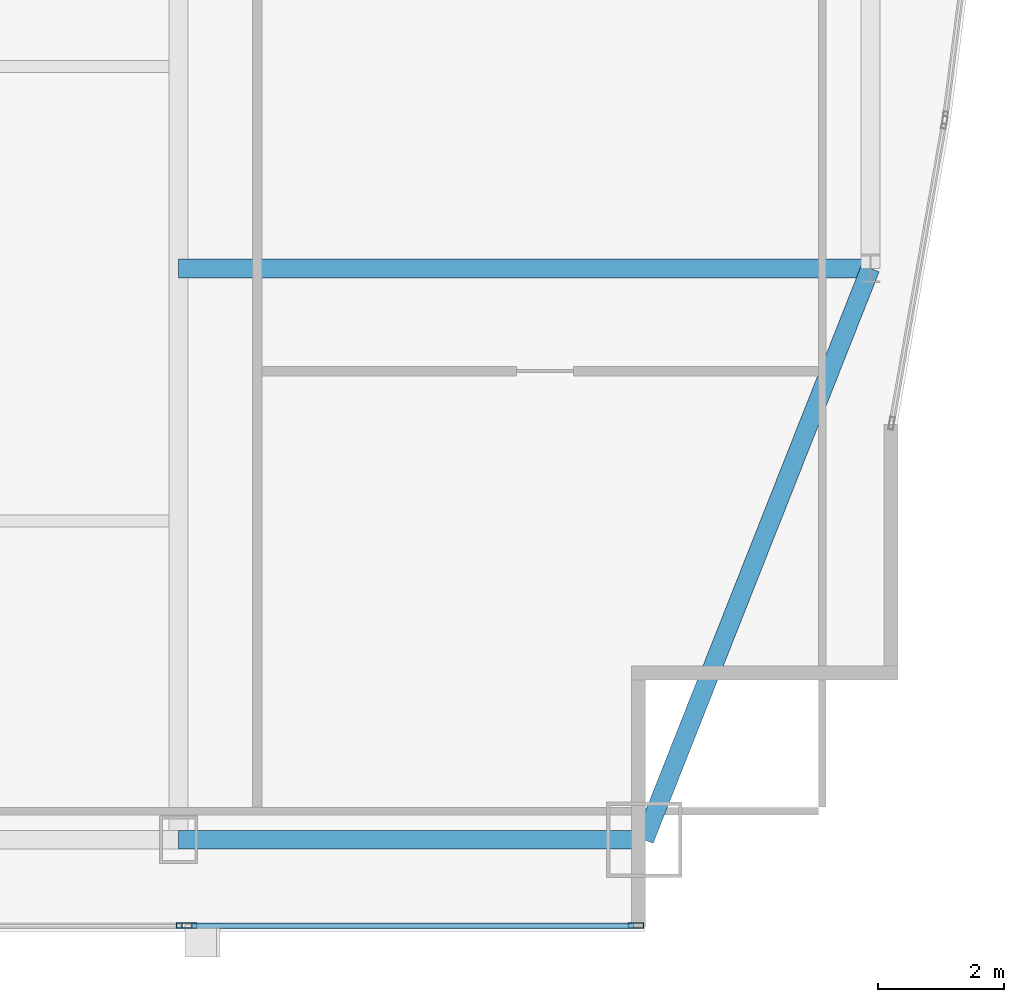
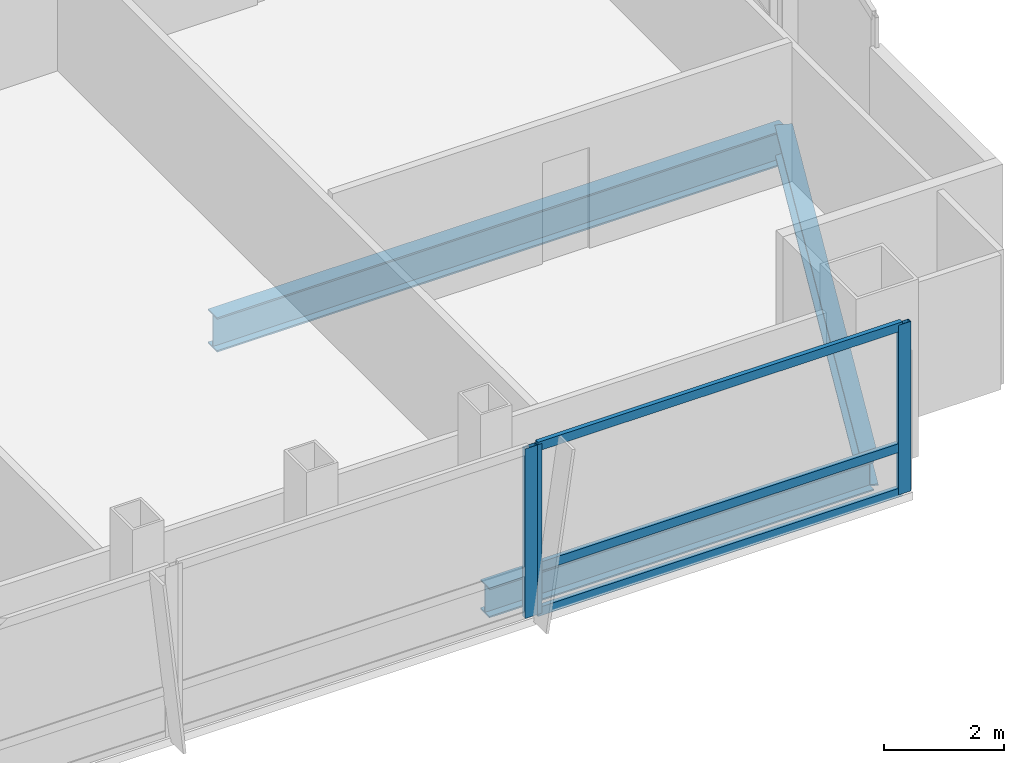
# One storey, part 14 of 30: 6 members, 3 beams, 2 elements without a shape of their own.
"""IFC4 building model written with IfcOpenShell, lengths in metres."""

from ifc_helpers import new_model, si_unit, direction, frame, origin, origin_2d, place, context, subcontext, project, spatial, hollow_rectangle, i_section, extrude, material, material_profile, profile_set, type_object, element, aggregate, save


model = new_model("IFC4")

# Units and contexts
model_context = context("Model", 3, precision=1e-05, world=origin(), true_north=direction((0.0, 1.0)))
body_context = subcontext(model_context, "Body", "Model", "MODEL_VIEW")
ifc_project = project(units=[si_unit("LENGTHUNIT", "METRE"), si_unit("AREAUNIT", "SQUARE_METRE"), si_unit("VOLUMEUNIT", "CUBIC_METRE"), si_unit("PLANEANGLEUNIT", "RADIAN"), si_unit("MASSUNIT", "GRAM", prefix="KILO")], contexts=[model_context])

# Site, building, storey
site_placement = place(None, origin())
site = spatial("IfcSite", under=ifc_project, at=site_placement, CompositionType="ELEMENT")
building_placement = place(site_placement, origin())
building = spatial("IfcBuilding", under=site, at=building_placement, Name="Khoronbel Lancet Exchange", CompositionType="ELEMENT")
storey_placement = place(building_placement, frame((0.0, 0.0, 203.0)))
storey = spatial("IfcBuildingStorey", under=building, at=storey_placement, Name="L51", CompositionType="ELEMENT", Elevation=203.0)

# Beams
ifc_material_1 = material(Name="Steel S355", Category="steel")
ifc_material_profile_1 = material_profile(ifc_material_1, i_section(OverallWidth=0.300048828125, OverallDepth=0.699951171875, WebThickness=0.01708984375, FlangeThickness=0.031982421875, at=origin_2d()), Name="HEB 700")
ifc_profile_set_1 = profile_set([ifc_material_profile_1], Name="Steel S355")
beam_type_1 = type_object("IfcBeamType", Name="BM-BG3", PredefinedType="BEAM", material=ifc_profile_set_1)
beam_1_placement = place(storey_placement, frame((54.675048828125, 19.199951171875, -0.510009765625), z_axis=(1.0, 0.0, 0.0), x_axis=(0.0, 1.0, 0.0)))
element("IfcBeam", 1, at=beam_1_placement, inside=storey, type_object=beam_type_1, Name="Level L51 east lens tie girder LG1E", PredefinedType="BEAM", context=body_context, shape_type="SweptSolid", body=[
    extrude(i_section(OverallWidth=0.300048828125, OverallDepth=0.699951171875, WebThickness=0.01708984375, FlangeThickness=0.031982421875, at=origin_2d()), origin(), (0.0, 0.0, 1.0), 10.954833984375),
])
ifc_material_profile_2 = material_profile(ifc_material_1, i_section(OverallWidth=0.300048828125, OverallDepth=0.60009765625, WebThickness=0.015380859375, FlangeThickness=0.030029296875, at=origin_2d()), Name="HEB 600")
ifc_profile_set_2 = profile_set([ifc_material_profile_2], Name="Steel S355")
beam_type_2 = type_object("IfcBeamType", Name="BM-BSP2", PredefinedType="SPANDREL", material=ifc_profile_set_2)
beam_2_placement = place(storey_placement, frame((54.675048828125, 10.14990234375, -0.4599609375), z_axis=(1.0, 0.0, 0.0), x_axis=(0.0, 1.0, 0.0)))
element("IfcBeam", 2, at=beam_2_placement, inside=storey, type_object=beam_type_2, Name="Level L51 perimeter spandrel beam SP09", PredefinedType="SPANDREL", context=body_context, shape_type="SweptSolid", body=[
    extrude(i_section(OverallWidth=0.300048828125, OverallDepth=0.60009765625, WebThickness=0.015380859375, FlangeThickness=0.030029296875, at=origin_2d()), origin(), (0.0, 0.0, 1.0), 7.375),
])
beam_3_placement = place(storey_placement, frame((62.050048828125, 10.14990234375, -0.4599609375), z_axis=(0.367828403855, 0.929893684954, 0.0), x_axis=(-0.929893684954, 0.367828403855, 0.0)))
element("IfcBeam", 3, at=beam_3_placement, inside=storey, type_object=beam_type_2, Name="Level L51 perimeter spandrel beam SP10", PredefinedType="SPANDREL", context=body_context, shape_type="SweptSolid", body=[
    extrude(i_section(OverallWidth=0.300048828125, OverallDepth=0.60009765625, WebThickness=0.015380859375, FlangeThickness=0.030029296875, at=origin_2d()), origin(), (0.0, 0.0, 1.0), 9.732421875),
])

# Curtain wall, member
ifc_material_2 = material(Name="Low-E Solar Control Insulating Glass", Category="glass")
curtain_wall_type = type_object("IfcCurtainWallType", Name="CW-3", PredefinedType="NOTDEFINED", material=ifc_material_2)
curtain_wall_1_placement = place(storey_placement, origin())
curtain_wall_1 = element("IfcCurtainWall", 4, at=curtain_wall_1_placement, inside=storey, type_object=curtain_wall_type, Name="Unitised curtain wall CW-L51-SEB", PredefinedType="NOTDEFINED")
ifc_material_3 = material(Name="Bronze-Anodised Aluminium 6063-T6", Category="aluminium")
ifc_material_profile_3 = material_profile(ifc_material_3, hollow_rectangle(XDim=0.0849609375, YDim=0.239990234375, WallThickness=0.006103515625, at=origin_2d()), Name="ALU MULLION 85x240")
ifc_profile_set_3 = profile_set([ifc_material_profile_3], Name="Bronze-Anodised Aluminium 6063-T6")
member_type_1 = type_object("IfcMemberType", Name="MEM-CWM1", PredefinedType="MULLION", material=ifc_profile_set_3)
member_1_placement = place(storey_placement, frame((54.757568359375, 8.7900390625, 0.0), z_axis=(0.0, 0.0, 1.0), x_axis=(0.0, 1.0, 0.0)))
member_1 = element("IfcMember", 5, at=member_1_placement, type_object=member_type_1, Name="CW3 mullion 2", PredefinedType="MULLION", context=body_context, shape_type="SweptSolid", body=[
    extrude(hollow_rectangle(XDim=0.0849609375, YDim=0.239990234375, WallThickness=0.006103515625, at=origin_2d()), origin(), (0.0, 0.0, 1.0), 3.43994140625),
])
aggregate(curtain_wall_1, [member_1])

# Curtain wall, members
curtain_wall_2_placement = place(storey_placement, origin())
curtain_wall_2 = element("IfcCurtainWall", 6, at=curtain_wall_2_placement, inside=storey, type_object=curtain_wall_type, Name="Unitised curtain wall CW-L51-SEV", PredefinedType="NOTDEFINED")
member_2_placement = place(storey_placement, frame((54.842529296875, 8.7900390625, 0.0), z_axis=(0.0, 0.0, 1.0), x_axis=(0.0, 1.0, 0.0)))
member_2 = element("IfcMember", 7, at=member_2_placement, type_object=member_type_1, Name="CW3 mullion 1", PredefinedType="MULLION", context=body_context, shape_type="SweptSolid", body=[
    extrude(hollow_rectangle(XDim=0.0849609375, YDim=0.239990234375, WallThickness=0.006103515625, at=origin_2d()), origin(), (0.0, 0.0, 1.0), 3.43994140625),
])
member_3_placement = place(storey_placement, frame((61.91748046875, 8.7900390625, 0.0), z_axis=(0.0, 0.0, 1.0), x_axis=(0.0, 1.0, 0.0)))
member_3 = element("IfcMember", 8, at=member_3_placement, type_object=member_type_1, Name="CW3 mullion 2", PredefinedType="MULLION", context=body_context, shape_type="SweptSolid", body=[
    extrude(hollow_rectangle(XDim=0.0849609375, YDim=0.239990234375, WallThickness=0.006103515625, at=origin_2d()), origin(), (0.0, 0.0, 1.0), 3.43994140625),
])
ifc_material_profile_4 = material_profile(ifc_material_3, hollow_rectangle(XDim=0.0849609375, YDim=0.179931640625, WallThickness=0.0048828125, at=origin_2d()), Name="ALU TRANSOM 85x180")
ifc_profile_set_4 = profile_set([ifc_material_profile_4], Name="Bronze-Anodised Aluminium 6063-T6")
member_type_2 = type_object("IfcMemberType", Name="MEM-CWT1", PredefinedType="USERDEFINED", material=ifc_profile_set_4)
member_4_placement = place(storey_placement, frame((54.885009765625, 8.7900390625, 0.04248046875), z_axis=(1.0, 0.0, 0.0), x_axis=(0.0, 1.0, 0.0)))
member_4 = element("IfcMember", 9, at=member_4_placement, type_object=member_type_2, Name="CW3 transom 1.1", ObjectType="TRANSOM", PredefinedType="USERDEFINED", context=body_context, shape_type="SweptSolid", body=[
    extrude(hollow_rectangle(XDim=0.0849609375, YDim=0.179931640625, WallThickness=0.0048828125, at=origin_2d()), origin(), (0.0, 0.0, 1.0), 6.989990234375),
])
member_5_placement = place(storey_placement, frame((54.885009765625, 8.7900390625, 0.949951171875), z_axis=(1.0, 0.0, 0.0), x_axis=(0.0, 1.0, 0.0)))
member_5 = element("IfcMember", 10, at=member_5_placement, type_object=member_type_2, Name="CW3 transom 1.2", ObjectType="TRANSOM", PredefinedType="USERDEFINED", context=body_context, shape_type="SweptSolid", body=[
    extrude(hollow_rectangle(XDim=0.0849609375, YDim=0.179931640625, WallThickness=0.0048828125, at=origin_2d()), origin(), (0.0, 0.0, 1.0), 6.989990234375),
])
member_6_placement = place(storey_placement, frame((54.885009765625, 8.7900390625, 3.3974609375), z_axis=(1.0, 0.0, 0.0), x_axis=(0.0, 1.0, 0.0)))
member_6 = element("IfcMember", 11, at=member_6_placement, type_object=member_type_2, Name="CW3 transom 1.3", ObjectType="TRANSOM", PredefinedType="USERDEFINED", context=body_context, shape_type="SweptSolid", body=[
    extrude(hollow_rectangle(XDim=0.0849609375, YDim=0.179931640625, WallThickness=0.0048828125, at=origin_2d()), origin(), (0.0, 0.0, 1.0), 6.989990234375),
])
aggregate(curtain_wall_2, [member_2, member_3, member_4, member_5, member_6])

save(model, "model.ifc")
